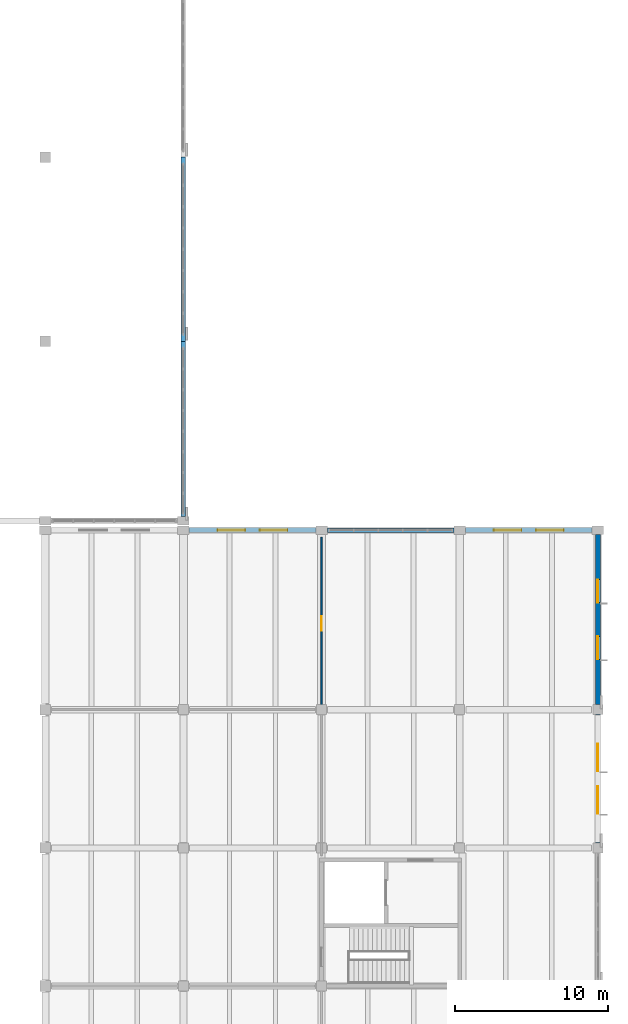
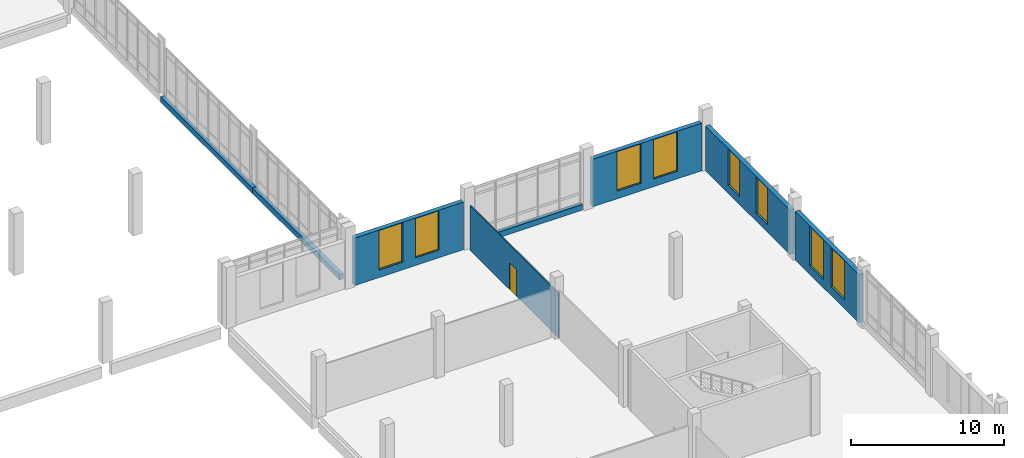
# One storey, part 90 of 110: 8 walls, 8 windows, 1 door, 9 openings.
"""IFC4 building model written with IfcOpenShell, lengths in metres."""

import ifcopenshell
import ifcopenshell.guid

model = None  # the IFC model being written
_history = None  # IfcOwnerHistory: only IFC2X3 demands one
_inside = {}  # id of a spatial element -> (the spatial element, [elements in it])
_under = {}  # id of a project, library or spatial element -> (it, [spatial elements below it])
_declared = {}  # id of a project -> (the project, [libraries it declares])
_typed = {}  # id of a type object -> (the type object, [elements of that type])
_made_of = {}  # id of a material, layer set ... -> (it, [elements and type objects made of it])


def new_model(schema):
    """Start an empty IFC model of exactly this schema.

    Asked for "IFC4X3", IfcOpenShell would pick the latest addendum, in which some entities
    have other attributes; the version numbers below select the first issue.
    IFC2X3 requires an IfcOwnerHistory on every rooted entity: one is made here for all.
    """
    global model, _history
    if schema == "IFC4X3":
        model = ifcopenshell.file(schema_version=(4, 3, 0, 0))
    else:
        model = ifcopenshell.file(schema=schema)
    _inside.clear()
    _under.clear()
    _declared.clear()
    _typed.clear()
    _made_of.clear()
    _history = None
    if model.schema == "IFC2X3":
        org = make("IfcOrganization", Name="unknown")
        user = make(
            "IfcPersonAndOrganization",
            ThePerson=make("IfcPerson", FamilyName="unknown"),
            TheOrganization=org,
        )
        app = make(
            "IfcApplication",
            ApplicationDeveloper=org,
            Version="unknown",
            ApplicationFullName="unknown",
            ApplicationIdentifier="unknown",
        )
        _history = make(
            "IfcOwnerHistory",
            OwningUser=user,
            OwningApplication=app,
            ChangeAction="ADDED",
            CreationDate=0,
        )
    return model


def make(cls, **values):
    """One entity of the class cls with the attributes given. An attribute that is None is left unset."""
    return model.create_entity(
        cls, **{name: value for name, value in values.items() if value is not None}
    )


def rooted(cls, **values):
    """An entity with a GlobalId (a new one), such as an element, a storey or a relation."""
    return make(cls, GlobalId=ifcopenshell.guid.new(), OwnerHistory=_history, **values)


def si_unit(unit_type, name, prefix=None):
    """IfcSIUnit, for example si_unit("LENGTHUNIT", "METRE", prefix="MILLI")."""
    return make("IfcSIUnit", UnitType=unit_type, Prefix=prefix, Name=name)


def assignment(units):
    """IfcUnitAssignment: the units of a project."""
    return None if units is None else make("IfcUnitAssignment", Units=units)


def point(xyz):
    """IfcCartesianPoint."""
    return None if xyz is None else make("IfcCartesianPoint", Coordinates=xyz)


def direction(xyz):
    """IfcDirection."""
    return None if xyz is None else make("IfcDirection", DirectionRatios=xyz)


def frame(location, z_axis=None, x_axis=None):
    """IfcAxis2Placement3D, a coordinate frame: its origin and axes. An axis left out is left unset."""
    return make(
        "IfcAxis2Placement3D",
        Location=point(location),
        Axis=direction(z_axis),
        RefDirection=direction(x_axis),
    )


def frame_2d(location, x_axis=None):
    """IfcAxis2Placement2D, a coordinate frame in the plane: its origin and x axis."""
    return make(
        "IfcAxis2Placement2D", Location=point(location), RefDirection=direction(x_axis)
    )


def origin():
    """The frame at (0, 0, 0) with its axes left unset."""
    return frame((0.0, 0.0, 0.0))


def place(relative_to, where):
    """IfcLocalPlacement: puts the frame where relative to a parent placement (None: the world)."""
    return make(
        "IfcLocalPlacement", PlacementRelTo=relative_to, RelativePlacement=where
    )


def context(
    kind, dimensions, precision=None, world=None, true_north=None, identifier=None
):
    """IfcGeometricRepresentationContext, for example the 3D "Model" context."""
    return make(
        "IfcGeometricRepresentationContext",
        ContextIdentifier=identifier,
        ContextType=kind,
        CoordinateSpaceDimension=dimensions,
        Precision=precision,
        WorldCoordinateSystem=world,
        TrueNorth=true_north,
    )


def subcontext(parent, identifier, kind, view, scale=None):
    """IfcGeometricRepresentationSubContext, for example "Body" below "Model"."""
    return make(
        "IfcGeometricRepresentationSubContext",
        ContextIdentifier=identifier,
        ContextType=kind,
        ParentContext=parent,
        TargetScale=scale,
        TargetView=view,
    )


def project(units=None, contexts=None):
    """IfcProject with its units and contexts."""
    return rooted(
        "IfcProject",
        Name="project",
        RepresentationContexts=contexts,
        UnitsInContext=assignment(units),
    )


def spatial(cls, under=None, at=None, **own):
    """A site, building, storey or space (cls), placed at a placement, below another one or the project."""
    s = rooted(cls, ObjectPlacement=at, **own)
    if under is not None:
        _under.setdefault(under.id(), (under, []))[1].append(s)
    return s


def profile(cls, at=None, kind="AREA", **sizes):
    """A parametric profile (cls). Its sizes go by their IFC names, for example OverallWidth=200.0."""
    return make(cls, ProfileType=kind, Position=at, **sizes)


def rectangle(**sizes):
    """IfcRectangleProfileDef."""
    return profile("IfcRectangleProfileDef", **sizes)


def extrude(swept, where, along, depth):
    """IfcExtrudedAreaSolid: the profile swept, set in the frame where, extruded along a direction by depth."""
    return make(
        "IfcExtrudedAreaSolid",
        SweptArea=swept,
        Position=where,
        ExtrudedDirection=direction(along),
        Depth=depth,
    )


def shape(context_of_items, identifier, shape_type, items):
    """IfcShapeRepresentation: the items that make up one representation, for example the "Body"."""
    return make(
        "IfcShapeRepresentation",
        ContextOfItems=context_of_items,
        RepresentationIdentifier=identifier,
        RepresentationType=shape_type,
        Items=items,
    )


def material(Name=None, Category=None):
    """IfcMaterial."""
    return make("IfcMaterial", Name=Name, Category=Category)


def layer(
    of_material, thickness, ventilated=None, Name=None, Category=None, Priority=None
):
    """IfcMaterialLayer: one layer of a wall or slab, of a material (None: an air gap)."""
    return make(
        "IfcMaterialLayer",
        Material=of_material,
        LayerThickness=thickness,
        IsVentilated=ventilated,
        Name=Name,
        Category=Category,
        Priority=Priority,
    )


def layer_set(layers, Name=None):
    """IfcMaterialLayerSet."""
    return make("IfcMaterialLayerSet", MaterialLayers=layers, LayerSetName=Name)


def made_of(thing, what):
    """Note that an element or type object is made of a material, layer set ...; save() writes the relation."""
    if what is not None:
        _made_of.setdefault(what.id(), (what, []))[1].append(thing)
    return thing


def type_object(cls, material=None, **own):
    """A type object (cls), such as IfcWallType, which elements share."""
    return made_of(rooted(cls, **own), material)


def element(
    cls,
    number,
    at=None,
    inside=None,
    cuts=None,
    type_object=None,
    material=None,
    context=None,
    identifier="Body",
    shape_type=None,
    held_by="IfcProductDefinitionShape",
    body=None,
    shapes=None,
    **own,
):
    """One element of the class cls, such as IfcWall. Its Tag is "e" and its number.

    at: its placement. inside: the storey or other place that contains it. cuts: it is an
    opening in that element (IfcRelVoidsElement). A single representation is given by context,
    identifier, shape_type and body (its items); several are given by shapes. held_by: the class
    of the entity that holds the representations. save() writes the other relations.
    """
    e = rooted(cls, Tag="e%d" % number, ObjectPlacement=at, **own)
    if body is not None:
        shapes = [shape(context, identifier, shape_type, body)]
    if shapes is not None:
        e.Representation = make(held_by, Representations=shapes)
    if inside is not None:
        _inside.setdefault(inside.id(), (inside, []))[1].append(e)
    if cuts is not None:
        rooted(
            "IfcRelVoidsElement", RelatingBuildingElement=cuts, RelatedOpeningElement=e
        )
    if type_object is not None:
        _typed.setdefault(type_object.id(), (type_object, []))[1].append(e)
    return made_of(e, material)


def fill(opening, filler):
    """IfcRelFillsElement: the door or window that sits in an opening."""
    return rooted(
        "IfcRelFillsElement",
        RelatingOpeningElement=opening,
        RelatedBuildingElement=filler,
    )


def aggregate(whole, parts):
    """IfcRelAggregates: a whole, such as a stair, and the parts it consists of."""
    return rooted("IfcRelAggregates", RelatingObject=whole, RelatedObjects=parts)


def save(model, path):
    """Write the relations noted so far, then the file.

    IfcRelAggregates (storeys below a building ...), IfcRelContainedInSpatialStructure (elements
    in a storey), IfcRelDefinesByType, IfcRelAssociatesMaterial and IfcRelDeclares: one each for
    every whole, place, type object, material and project.
    """
    for whole, parts in _under.values():
        aggregate(whole, parts)
    for where, things in _inside.values():
        rooted(
            "IfcRelContainedInSpatialStructure",
            RelatedElements=things,
            RelatingStructure=where,
        )
    for kind, things in _typed.values():
        rooted("IfcRelDefinesByType", RelatedObjects=things, RelatingType=kind)
    for what, things in _made_of.values():
        rooted("IfcRelAssociatesMaterial", RelatedObjects=things, RelatingMaterial=what)
    for by, libraries in _declared.values():
        rooted("IfcRelDeclares", RelatingContext=by, RelatedDefinitions=libraries)
    model.write(path)


model = new_model("IFC4")

# Units and contexts
model_context = context("Model", 3, precision=1e-05, world=origin(), true_north=direction((0.0, 1.0)))
body_context = subcontext(model_context, "Body", "Model", "MODEL_VIEW")
ifc_project = project(units=[si_unit("LENGTHUNIT", "METRE"), si_unit("AREAUNIT", "SQUARE_METRE"), si_unit("VOLUMEUNIT", "CUBIC_METRE"), si_unit("PLANEANGLEUNIT", "RADIAN"), si_unit("MASSUNIT", "GRAM", prefix="KILO")], contexts=[model_context])

# Site, building, storey
site_placement = place(None, origin())
site = spatial("IfcSite", under=ifc_project, at=site_placement, CompositionType="ELEMENT")
building_placement = place(site_placement, origin())
building = spatial("IfcBuilding", under=site, at=building_placement, Name="Zacnel Wholesale Market", CompositionType="ELEMENT")
storey_placement = place(building_placement, frame((0.0, 0.0, 6.300048828125)))
storey = spatial("IfcBuildingStorey", under=building, at=storey_placement, Name="L02", CompositionType="ELEMENT", Elevation=6.300048828125)

# Walls
ifc_material_1 = material(Name="Precast concrete C40/50 (Cancun limestone aggregate)", Category="masonry")
ifc_layer_1 = layer(ifc_material_1, 0.300048828125)
ifc_layer_set_1 = layer_set([ifc_layer_1], Name="Precast concrete C40/50 (Cancun limestone aggregate)")
wall_type_1 = type_object("IfcWallType", Name="WL-EXT-LIME-300", PredefinedType="SOLIDWALL", material=ifc_layer_set_1)
wall_1_placement = place(storey_placement, frame((189.0, 96.574951171875, 0.0), z_axis=(0.0, 0.0, 1.0), x_axis=(0.0, 1.0, 0.0)))
element("IfcWall", 1, at=wall_1_placement, inside=storey, type_object=wall_type_1, Name="Curtain-wall limestone plinth L02-0032", PredefinedType="SOLIDWALL", context=body_context, shape_type="SweptSolid", body=[
    extrude(rectangle(XDim=11.425048828125, YDim=0.300048828125, at=frame_2d((5.71240234375, 0.0))), origin(), (0.0, 0.0, 1.0), 0.449951171875),
])
wall_2_placement = place(storey_placement, frame((189.0, 108.0, 0.0), z_axis=(0.0, 0.0, 1.0), x_axis=(0.0, 1.0, 0.0)))
element("IfcWall", 2, at=wall_2_placement, inside=storey, type_object=wall_type_1, Name="Curtain-wall limestone plinth L02-0033", PredefinedType="SOLIDWALL", context=body_context, shape_type="SweptSolid", body=[
    extrude(rectangle(XDim=12.0, YDim=0.300048828125, at=frame_2d((6.0, 0.0))), origin(), (0.0, 0.0, 1.0), 0.449951171875),
])
wall_3_placement = place(storey_placement, frame((198.375, 95.699951171875, 0.0), z_axis=(0.0, 0.0, 1.0), x_axis=(1.0, 0.0, 0.0)))
element("IfcWall", 3, at=wall_3_placement, inside=storey, type_object=wall_type_1, Name="Curtain-wall limestone plinth L02-0046", PredefinedType="SOLIDWALL", context=body_context, shape_type="SweptSolid", body=[
    extrude(rectangle(XDim=8.25, YDim=0.300048828125, at=frame_2d((4.125, 0.0))), origin(), (0.0, 0.0, 1.0), 0.449951171875),
])

# Wall, openings, windows
ifc_material_2 = material(Name="Precast concrete C40/50 (Cancun limestone aggregate)", Category="masonry")
ifc_layer_2 = layer(ifc_material_2, 0.340087890625)
ifc_layer_set_2 = layer_set([ifc_layer_2], Name="Precast concrete C40/50 (Cancun limestone aggregate)")
wall_type_2 = type_object("IfcWallType", Name="WL-EXT-LIME-340", PredefinedType="SOLIDWALL", material=ifc_layer_set_2)
wall_4_placement = place(storey_placement, frame((189.375, 95.699951171875, 0.0), z_axis=(0.0, 0.0, 1.0), x_axis=(1.0, 0.0, 0.0)))
wall_4 = element("IfcWall", 4, at=wall_4_placement, inside=storey, type_object=wall_type_2, Name="Exterior wall L02-0303", PredefinedType="SOLIDWALL", context=body_context, shape_type="SweptSolid", body=[
    extrude(rectangle(XDim=8.25, YDim=0.340087890625, at=frame_2d((4.125, 0.0))), origin(), (0.0, 0.0, 1.0), 3.800048828125),
])
opening_1_placement = place(wall_4_placement, frame((1.85009765625, 0.0, 0.610107421875)))
opening_1 = element("IfcOpeningElement", 5, at=opening_1_placement, cuts=wall_4, Name="Opening W-03", PredefinedType="OPENING", context=body_context, shape_type="SweptSolid", body=[
    extrude(rectangle(XDim=1.800048828125, YDim=3.14990234375, at=frame_2d((0.89990234375, 1.574951171875))), frame((0.0, 0.179931640625, 0.0), z_axis=(0.0, -1.0, 0.0), x_axis=(1.0, 0.0, 0.0)), (0.0, 0.0, 1.0), 0.360107421875),
])
opening_2_placement = place(wall_4_placement, frame((4.60009765625, 0.0, 0.610107421875)))
opening_2 = element("IfcOpeningElement", 6, at=opening_2_placement, cuts=wall_4, Name="Opening W-03", PredefinedType="OPENING", context=body_context, shape_type="SweptSolid", body=[
    extrude(rectangle(XDim=1.800048828125, YDim=3.14990234375, at=frame_2d((0.89990234375, 1.574951171875))), frame((0.0, 0.179931640625, 0.0), z_axis=(0.0, -1.0, 0.0), x_axis=(1.0, 0.0, 0.0)), (0.0, 0.0, 1.0), 0.360107421875),
])
ifc_material_3 = material(Name="Laminated hurricane-impact low-E insulated glass", Category="glass")
window_type_1 = type_object("IfcWindowType", Name="WIN-DEC-1800X3150", PartitioningType="DOUBLE_PANEL_VERTICAL", PredefinedType="WINDOW", material=ifc_material_3)
window_1_placement = place(opening_1_placement, origin())
window_1 = element("IfcWindow", 7, at=window_1_placement, inside=storey, type_object=window_type_1, Name="Window L02-0341", OverallHeight=3.14990234375, OverallWidth=1.800048828125, PartitioningType="DOUBLE_PANEL_VERTICAL", PredefinedType="WINDOW", context=body_context, shape_type="SweptSolid", body=[
    extrude(rectangle(XDim=1.800048828125, YDim=3.14990234375, at=frame_2d((0.89990234375, 1.574951171875))), frame((0.0, 0.030029296875, 0.0), z_axis=(0.0, -1.0, 0.0), x_axis=(1.0, 0.0, 0.0)), (0.0, 0.0, 1.0), 0.06005859375),
])
fill(opening_1, window_1)
window_2_placement = place(opening_2_placement, origin())
window_2 = element("IfcWindow", 8, at=window_2_placement, inside=storey, type_object=window_type_1, Name="Window L02-0342", OverallHeight=3.14990234375, OverallWidth=1.800048828125, PartitioningType="DOUBLE_PANEL_VERTICAL", PredefinedType="WINDOW", context=body_context, shape_type="SweptSolid", body=[
    extrude(rectangle(XDim=1.800048828125, YDim=3.14990234375, at=frame_2d((0.89990234375, 1.574951171875))), frame((0.0, 0.030029296875, 0.0), z_axis=(0.0, -1.0, 0.0), x_axis=(1.0, 0.0, 0.0)), (0.0, 0.0, 1.0), 0.06005859375),
])
fill(opening_2, window_2)

wall_5_placement = place(storey_placement, frame((207.375, 95.699951171875, 0.0), z_axis=(0.0, 0.0, 1.0), x_axis=(1.0, 0.0, 0.0)))
wall_5 = element("IfcWall", 9, at=wall_5_placement, inside=storey, type_object=wall_type_2, Name="Exterior wall L02-0304", PredefinedType="SOLIDWALL", context=body_context, shape_type="SweptSolid", body=[
    extrude(rectangle(XDim=8.25, YDim=0.340087890625, at=frame_2d((4.125, 0.0))), origin(), (0.0, 0.0, 1.0), 3.800048828125),
])
opening_3_placement = place(wall_5_placement, frame((1.85009765625, 0.0, 0.610107421875)))
opening_3 = element("IfcOpeningElement", 10, at=opening_3_placement, cuts=wall_5, Name="Opening W-03", PredefinedType="OPENING", context=body_context, shape_type="SweptSolid", body=[
    extrude(rectangle(XDim=1.800048828125, YDim=3.14990234375, at=frame_2d((0.89990234375, 1.574951171875))), frame((0.0, 0.179931640625, 0.0), z_axis=(0.0, -1.0, 0.0), x_axis=(1.0, 0.0, 0.0)), (0.0, 0.0, 1.0), 0.360107421875),
])
opening_4_placement = place(wall_5_placement, frame((4.60009765625, 0.0, 0.610107421875)))
opening_4 = element("IfcOpeningElement", 11, at=opening_4_placement, cuts=wall_5, Name="Opening W-03", PredefinedType="OPENING", context=body_context, shape_type="SweptSolid", body=[
    extrude(rectangle(XDim=1.800048828125, YDim=3.14990234375, at=frame_2d((0.89990234375, 1.574951171875))), frame((0.0, 0.179931640625, 0.0), z_axis=(0.0, -1.0, 0.0), x_axis=(1.0, 0.0, 0.0)), (0.0, 0.0, 1.0), 0.360107421875),
])
window_3_placement = place(opening_3_placement, origin())
window_3 = element("IfcWindow", 12, at=window_3_placement, inside=storey, type_object=window_type_1, Name="Window L02-0343", OverallHeight=3.14990234375, OverallWidth=1.800048828125, PartitioningType="DOUBLE_PANEL_VERTICAL", PredefinedType="WINDOW", context=body_context, shape_type="SweptSolid", body=[
    extrude(rectangle(XDim=1.800048828125, YDim=3.14990234375, at=frame_2d((0.89990234375, 1.574951171875))), frame((0.0, 0.030029296875, 0.0), z_axis=(0.0, -1.0, 0.0), x_axis=(1.0, 0.0, 0.0)), (0.0, 0.0, 1.0), 0.06005859375),
])
fill(opening_3, window_3)
window_4_placement = place(opening_4_placement, origin())
window_4 = element("IfcWindow", 13, at=window_4_placement, inside=storey, type_object=window_type_1, Name="Window L02-0344", OverallHeight=3.14990234375, OverallWidth=1.800048828125, PartitioningType="DOUBLE_PANEL_VERTICAL", PredefinedType="WINDOW", context=body_context, shape_type="SweptSolid", body=[
    extrude(rectangle(XDim=1.800048828125, YDim=3.14990234375, at=frame_2d((0.89990234375, 1.574951171875))), frame((0.0, 0.030029296875, 0.0), z_axis=(0.0, -1.0, 0.0), x_axis=(1.0, 0.0, 0.0)), (0.0, 0.0, 1.0), 0.06005859375),
])
fill(opening_4, window_4)

wall_6_placement = place(storey_placement, frame((216.0, 75.324951171875, 0.0), z_axis=(0.0, 0.0, 1.0), x_axis=(0.0, 1.0, 0.0)))
wall_6 = element("IfcWall", 14, at=wall_6_placement, inside=storey, type_object=wall_type_2, Name="Exterior wall L02-0307", PredefinedType="SOLIDWALL", context=body_context, shape_type="SweptSolid", body=[
    extrude(rectangle(XDim=8.35009765625, YDim=0.340087890625, at=frame_2d((4.175048828125, 0.0))), origin(), (0.0, 0.0, 1.0), 3.869873046875),
])
opening_5_placement = place(wall_6_placement, frame((1.883056640625, 0.0, 0.679931640625)))
opening_5 = element("IfcOpeningElement", 15, at=opening_5_placement, cuts=wall_6, Name="Opening W-03", PredefinedType="OPENING", context=body_context, shape_type="SweptSolid", body=[
    extrude(rectangle(XDim=1.800048828125, YDim=3.14990234375, at=frame_2d((0.89990234375, 1.574951171875))), frame((0.0, 0.179931640625, 0.0), z_axis=(0.0, -1.0, 0.0), x_axis=(1.0, 0.0, 0.0)), (0.0, 0.0, 1.0), 0.360107421875),
])
opening_6_placement = place(wall_6_placement, frame((4.6669921875, 0.0, 0.679931640625)))
opening_6 = element("IfcOpeningElement", 16, at=opening_6_placement, cuts=wall_6, Name="Opening W-03", PredefinedType="OPENING", context=body_context, shape_type="SweptSolid", body=[
    extrude(rectangle(XDim=1.800048828125, YDim=3.14990234375, at=frame_2d((0.89990234375, 1.574951171875))), frame((0.0, 0.179931640625, 0.0), z_axis=(0.0, -1.0, 0.0), x_axis=(1.0, 0.0, 0.0)), (0.0, 0.0, 1.0), 0.360107421875),
])
window_5_placement = place(opening_5_placement, origin())
window_5 = element("IfcWindow", 17, at=window_5_placement, inside=storey, type_object=window_type_1, Name="Window L02-0349", OverallHeight=3.14990234375, OverallWidth=1.800048828125, PartitioningType="DOUBLE_PANEL_VERTICAL", PredefinedType="WINDOW", context=body_context, shape_type="SweptSolid", body=[
    extrude(rectangle(XDim=1.800048828125, YDim=3.14990234375, at=frame_2d((0.89990234375, 1.574951171875))), frame((0.0, 0.030029296875, 0.0), z_axis=(0.0, -1.0, 0.0), x_axis=(1.0, 0.0, 0.0)), (0.0, 0.0, 1.0), 0.06005859375),
])
fill(opening_5, window_5)
window_6_placement = place(opening_6_placement, origin())
window_6 = element("IfcWindow", 18, at=window_6_placement, inside=storey, type_object=window_type_1, Name="Window L02-0350", OverallHeight=3.14990234375, OverallWidth=1.800048828125, PartitioningType="DOUBLE_PANEL_VERTICAL", PredefinedType="WINDOW", context=body_context, shape_type="SweptSolid", body=[
    extrude(rectangle(XDim=1.800048828125, YDim=3.14990234375, at=frame_2d((0.89990234375, 1.574951171875))), frame((0.0, 0.030029296875, 0.0), z_axis=(0.0, -1.0, 0.0), x_axis=(1.0, 0.0, 0.0)), (0.0, 0.0, 1.0), 0.06005859375),
])
fill(opening_6, window_6)

wall_7_placement = place(storey_placement, frame((216.0, 84.324951171875, 0.0), z_axis=(0.0, 0.0, 1.0), x_axis=(0.0, 1.0, 0.0)))
wall_7 = element("IfcWall", 19, at=wall_7_placement, inside=storey, type_object=wall_type_2, Name="Exterior wall L02-0308", PredefinedType="SOLIDWALL", context=body_context, shape_type="SweptSolid", body=[
    extrude(rectangle(XDim=11.10009765625, YDim=0.340087890625, at=frame_2d((5.550048828125, 0.0))), origin(), (0.0, 0.0, 1.0), 3.570068359375),
])
opening_7_placement = place(wall_7_placement, frame((2.949951171875, 0.0, 0.6298828125)))
opening_7 = element("IfcOpeningElement", 20, at=opening_7_placement, cuts=wall_7, Name="Opening W-04", PredefinedType="OPENING", context=body_context, shape_type="SweptSolid", body=[
    extrude(rectangle(XDim=1.5, YDim=2.89990234375, at=frame_2d((0.75, 1.449951171875))), frame((0.0, 0.179931640625, 0.0), z_axis=(0.0, -1.0, 0.0), x_axis=(1.0, 0.0, 0.0)), (0.0, 0.0, 1.0), 0.360107421875),
])
opening_8_placement = place(wall_7_placement, frame((6.64990234375, 0.0, 0.6298828125)))
opening_8 = element("IfcOpeningElement", 21, at=opening_8_placement, cuts=wall_7, Name="Opening W-04", PredefinedType="OPENING", context=body_context, shape_type="SweptSolid", body=[
    extrude(rectangle(XDim=1.5, YDim=2.89990234375, at=frame_2d((0.75, 1.449951171875))), frame((0.0, 0.179931640625, 0.0), z_axis=(0.0, -1.0, 0.0), x_axis=(1.0, 0.0, 0.0)), (0.0, 0.0, 1.0), 0.360107421875),
])
ifc_material_4 = material(Name="Laminated hurricane-impact low-E insulated glass", Category="glass")
window_type_2 = type_object("IfcWindowType", Name="WIN-DEC-1500X2900", PartitioningType="DOUBLE_PANEL_VERTICAL", PredefinedType="WINDOW", material=ifc_material_4)
window_7_placement = place(opening_7_placement, origin())
window_7 = element("IfcWindow", 22, at=window_7_placement, inside=storey, type_object=window_type_2, Name="Window L02-0351", OverallHeight=2.89990234375, OverallWidth=1.5, PartitioningType="DOUBLE_PANEL_VERTICAL", PredefinedType="WINDOW", context=body_context, shape_type="SweptSolid", body=[
    extrude(rectangle(XDim=1.5, YDim=2.89990234375, at=frame_2d((0.75, 1.449951171875))), frame((0.0, 0.030029296875, 0.0), z_axis=(0.0, -1.0, 0.0), x_axis=(1.0, 0.0, 0.0)), (0.0, 0.0, 1.0), 0.06005859375),
])
fill(opening_7, window_7)
window_8_placement = place(opening_8_placement, origin())
window_8 = element("IfcWindow", 23, at=window_8_placement, inside=storey, type_object=window_type_2, Name="Window L02-0352", OverallHeight=2.89990234375, OverallWidth=1.5, PartitioningType="DOUBLE_PANEL_VERTICAL", PredefinedType="WINDOW", context=body_context, shape_type="SweptSolid", body=[
    extrude(rectangle(XDim=1.5, YDim=2.89990234375, at=frame_2d((0.75, 1.449951171875))), frame((0.0, 0.030029296875, 0.0), z_axis=(0.0, -1.0, 0.0), x_axis=(1.0, 0.0, 0.0)), (0.0, 0.0, 1.0), 0.06005859375),
])
fill(opening_8, window_8)

# Wall, opening, door
ifc_material_5 = material(Name="Moisture-resistant gypsum board partition")
ifc_layer_3 = layer(ifc_material_5, 0.10009765625)
ifc_layer_set_3 = layer_set([ifc_layer_3], Name="Moisture-resistant gypsum board partition")
wall_type_3 = type_object("IfcWallType", Name="WL-PART-GYP100", PredefinedType="PARTITIONING", material=ifc_layer_set_3)
wall_8_placement = place(storey_placement, frame((198.0, 83.675048828125, 0.0), z_axis=(0.0, 0.0, 1.0), x_axis=(0.0, 1.0, 0.0)))
wall_8 = element("IfcWall", 24, at=wall_8_placement, inside=storey, type_object=wall_type_3, Name="Interior partition L02-0104 part 3", PredefinedType="PARTITIONING", context=body_context, shape_type="SweptSolid", body=[
    extrude(rectangle(XDim=11.574951171875, YDim=0.10009765625, at=frame_2d((5.78759765625, 0.0))), origin(), (0.0, 0.0, 1.0), 3.570068359375),
])
opening_9_placement = place(wall_8_placement, frame((5.47998046875, 0.0, 0.0)))
opening_9 = element("IfcOpeningElement", 25, at=opening_9_placement, cuts=wall_8, Name="Opening ID-11", PredefinedType="OPENING", context=body_context, shape_type="SweptSolid", body=[
    extrude(rectangle(XDim=0.93994140625, YDim=2.139892578125, at=frame_2d((0.469970703125, 1.06982421875))), frame((0.0, 0.06005859375, 0.0), z_axis=(0.0, -1.0, 0.0), x_axis=(1.0, 0.0, 0.0)), (0.0, 0.0, 1.0), 0.1201171875),
])
ifc_material_6 = material(Name="Solid-core tropical hardwood door", Category="wood")
door_type = type_object("IfcDoorType", Name="DR-OFF-SGL-940", OperationType="NOTDEFINED", PredefinedType="DOOR", material=ifc_material_6)
door_placement = place(opening_9_placement, origin())
door = element("IfcDoor", 26, at=door_placement, inside=storey, type_object=door_type, Name="Interior door L02-0084", OperationType="SINGLE_SWING_RIGHT", OverallHeight=2.139892578125, OverallWidth=0.93994140625, PredefinedType="DOOR", context=body_context, shape_type="SweptSolid", body=[
    extrude(rectangle(XDim=0.93994140625, YDim=2.139892578125, at=frame_2d((0.469970703125, 1.06982421875))), frame((0.0, 0.02490234375, 0.0), z_axis=(0.0, -1.0, 0.0), x_axis=(1.0, 0.0, 0.0)), (0.0, 0.0, 1.0), 0.050048828125),
])
fill(opening_9, door)

save(model, "model.ifc")
